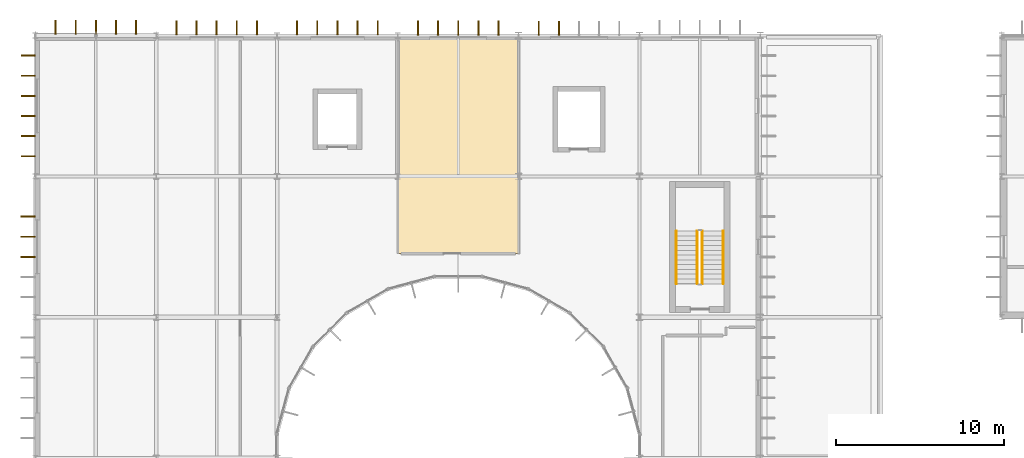
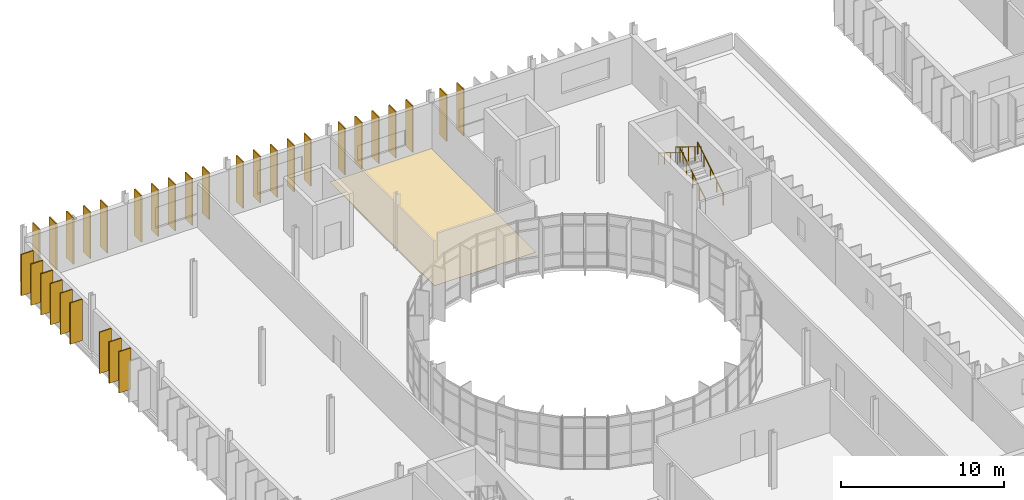
# One storey, part 93 of 99: 31 shading devices, 4 railings, 1 covering.
"""IFC4 building model written with IfcOpenShell, lengths in metres."""

from ifc_helpers import new_model, si_unit, direction, frame, origin, origin_2d, place, context, subcontext, project, spatial, polyline, rectangle, circle, outline, extrude, material, layer, layer_set, type_object, element, save


model = new_model("IFC4")

# Units and contexts
model_context = context("Model", 3, precision=1e-05, world=origin(), true_north=direction((0.0, 1.0)))
body_context = subcontext(model_context, "Body", "Model", "MODEL_VIEW")
ifc_project = project(units=[si_unit("LENGTHUNIT", "METRE"), si_unit("AREAUNIT", "SQUARE_METRE"), si_unit("VOLUMEUNIT", "CUBIC_METRE"), si_unit("PLANEANGLEUNIT", "RADIAN"), si_unit("MASSUNIT", "GRAM", prefix="KILO")], contexts=[model_context])

# Site, building, storey
site_placement = place(None, origin())
site = spatial("IfcSite", under=ifc_project, at=site_placement, CompositionType="ELEMENT")
building_placement = place(site_placement, origin())
building = spatial("IfcBuilding", under=site, at=building_placement, Name="Qelthora Terrace Specialist Clinic", CompositionType="ELEMENT")
storey_placement = place(building_placement, frame((0.0, 0.0, 9.0)))
storey = spatial("IfcBuildingStorey", under=building, at=storey_placement, Name="L02", CompositionType="ELEMENT", Elevation=9.0)

# Covering
ifc_material_1 = material(Name="Antimicrobial clinical linoleum flooring", Category="other")
ifc_layer = layer(ifc_material_1, 0.011962890625)
ifc_layer_set = layer_set([ifc_layer], Name="Antimicrobial clinical linoleum flooring")
covering_type = type_object("IfcCoveringType", Name="COV-FLR-LINO-12", PredefinedType="FLOORING", material=ifc_layer_set)
covering_placement = place(storey_placement, origin())
element("IfcCovering", 1, at=covering_placement, inside=storey, type_object=covering_type, Name="Oncology Nurse and Pharmacy Check L02-53 resilient linoleum flooring", PredefinedType="FLOORING", context=body_context, shape_type="SweptSolid", body=[
    extrude(outline(polyline([(21.60009765625, 96.199951171875), (21.60009765625, 109.050048828125), (28.800048828125, 109.050048828125), (28.800048828125, 96.199951171875), (21.60009765625, 96.199951171875)])), origin(), (0.0, 0.0, 1.0), 0.011962890625),
])

# Railings
ifc_material_2 = material(Name="Steel S355", Category="steel")
railing_type_1 = type_object("IfcRailingType", Name="RAL-GD-1100-S355", PredefinedType="GUARDRAIL", material=ifc_material_2)
railing_1_placement = place(storey_placement, frame((39.75, 94.39990234375, 0.175048828125)))
element("IfcRailing", 2, at=railing_1_placement, inside=storey, type_object=railing_type_1, Name="L02 ST-02 stair guard 1", PredefinedType="GUARDRAIL", context=body_context, shape_type="SweptSolid", body=[
    extrude(circle(Radius=0.02392578125, at=origin_2d()), frame((0.0, 0.0, 1.076171875), z_axis=(0.0, 0.852166034122, 0.523271488128), x_axis=(-1.0, 0.0, 0.0)), (0.0, 0.0, 1.0), 3.678955078125),
    extrude(circle(Radius=0.02099609375, at=origin_2d()), origin(), (0.0, 0.0, 1.0), 1.052001953125),
    extrude(circle(Radius=0.02099609375, at=origin_2d()), frame((0.0, 0.78369140625, 0.481201171875)), (0.0, 0.0, 1.0), 1.052001953125),
    extrude(circle(Radius=0.02099609375, at=origin_2d()), frame((0.0, 1.5673828125, 0.96240234375)), (0.0, 0.0, 1.0), 1.052001953125),
    extrude(circle(Radius=0.02099609375, at=origin_2d()), frame((0.0, 2.351318359375, 1.44384765625)), (0.0, 0.0, 1.0), 1.052001953125),
    extrude(circle(Radius=0.02099609375, at=origin_2d()), frame((0.0, 3.135009765625, 1.925048828125)), (0.0, 0.0, 1.0), 1.052001953125),
])
railing_2_placement = place(storey_placement, frame((39.449951171875, 97.534912109375, 2.27490234375)))
element("IfcRailing", 3, at=railing_2_placement, inside=storey, type_object=railing_type_1, Name="L02 ST-02 stair guard 3", PredefinedType="GUARDRAIL", context=body_context, shape_type="SweptSolid", body=[
    extrude(circle(Radius=0.02392578125, at=origin_2d()), frame((0.0, 0.0, 1.076171875), z_axis=(0.0, -0.852166034122, 0.523271488128), x_axis=(1.0, 0.0, 0.0)), (0.0, 0.0, 1.0), 3.678955078125),
    extrude(circle(Radius=0.02099609375, at=origin_2d()), origin(), (0.0, 0.0, 1.0), 1.052001953125),
    extrude(circle(Radius=0.02099609375, at=origin_2d()), frame((0.0, -0.78369140625, 0.481201171875)), (0.0, 0.0, 1.0), 1.052001953125),
    extrude(circle(Radius=0.02099609375, at=origin_2d()), frame((0.0, -1.5673828125, 0.96240234375)), (0.0, 0.0, 1.0), 1.052001953125),
    extrude(circle(Radius=0.02099609375, at=origin_2d()), frame((0.0, -2.351318359375, 1.44384765625)), (0.0, 0.0, 1.0), 1.052001953125),
    extrude(circle(Radius=0.02099609375, at=origin_2d()), frame((0.0, -3.135009765625, 1.925048828125)), (0.0, 0.0, 1.0), 1.052001953125),
])
railing_type_2 = type_object("IfcRailingType", Name="RAL-HR-900-S355", PredefinedType="HANDRAIL", material=ifc_material_2)
railing_3_placement = place(storey_placement, frame((41.0, 94.39990234375, 0.367919921875)))
element("IfcRailing", 4, at=railing_3_placement, inside=storey, type_object=railing_type_2, Name="L02 ST-02 stair handrail 1", PredefinedType="HANDRAIL", context=body_context, shape_type="SweptSolid", body=[
    extrude(circle(Radius=0.02392578125, at=origin_2d()), frame((0.0, 0.0, 0.8759765625), z_axis=(0.0, 0.852166034122, 0.523271488128), x_axis=(-1.0, 0.0, 0.0)), (0.0, 0.0, 1.0), 3.678955078125),
    extrude(circle(Radius=0.02099609375, at=origin_2d()), origin(), (0.0, 0.0, 1.0), 0.851806640625),
    extrude(circle(Radius=0.02099609375, at=origin_2d()), frame((0.0, 0.78369140625, 0.481201171875)), (0.0, 0.0, 1.0), 0.851806640625),
    extrude(circle(Radius=0.02099609375, at=origin_2d()), frame((0.0, 1.5673828125, 0.96240234375)), (0.0, 0.0, 1.0), 0.851806640625),
    extrude(circle(Radius=0.02099609375, at=origin_2d()), frame((0.0, 2.351318359375, 1.44384765625)), (0.0, 0.0, 1.0), 0.851806640625),
    extrude(circle(Radius=0.02099609375, at=origin_2d()), frame((0.0, 3.135009765625, 1.925048828125)), (0.0, 0.0, 1.0), 0.851806640625),
])
railing_4_placement = place(storey_placement, frame((38.199951171875, 97.534912109375, 2.468017578125)))
element("IfcRailing", 5, at=railing_4_placement, inside=storey, type_object=railing_type_2, Name="L02 ST-02 stair handrail 2", PredefinedType="HANDRAIL", context=body_context, shape_type="SweptSolid", body=[
    extrude(circle(Radius=0.02392578125, at=origin_2d()), frame((0.0, 0.0, 0.8759765625), z_axis=(0.0, -0.852166034122, 0.523271488128), x_axis=(1.0, 0.0, 0.0)), (0.0, 0.0, 1.0), 3.678955078125),
    extrude(circle(Radius=0.02099609375, at=origin_2d()), origin(), (0.0, 0.0, 1.0), 0.851806640625),
    extrude(circle(Radius=0.02099609375, at=origin_2d()), frame((0.0, -0.78369140625, 0.481201171875)), (0.0, 0.0, 1.0), 0.851806640625),
    extrude(circle(Radius=0.02099609375, at=origin_2d()), frame((0.0, -1.5673828125, 0.96240234375)), (0.0, 0.0, 1.0), 0.851806640625),
    extrude(circle(Radius=0.02099609375, at=origin_2d()), frame((0.0, -2.351318359375, 1.44384765625)), (0.0, 0.0, 1.0), 0.851806640625),
    extrude(circle(Radius=0.02099609375, at=origin_2d()), frame((0.0, -3.135009765625, 1.925048828125)), (0.0, 0.0, 1.0), 0.851806640625),
])

# Shading devices
ifc_material_3 = material(Name="Glulam timber GL28h", Category="wood")
shading_device_type = type_object("IfcShadingDeviceType", Name="SHD-FIN-850", PredefinedType="USERDEFINED", material=ifc_material_3)
for number, where, z_axis, x_axis, name in (
    (6, (-0.445068359375, 96.0, 0.0), (0.0, 0.0, 1.0), (-1.0, 0.0, 0.0), "Exterior solar shading fin FIN-1103"),
    (7, (-0.445068359375, 97.199951171875, 0.0), (0.0, 0.0, 1.0), (-1.0, 0.0, 0.0), "Exterior solar shading fin FIN-1104"),
    (8, (-0.445068359375, 98.39990234375, 0.0), (0.0, 0.0, 1.0), (-1.0, 0.0, 0.0), "Exterior solar shading fin FIN-1105"),
    (9, (-0.43505859375, 102.0, 0.0), (0.0, 0.0, 1.0), (-1.0, 0.0, 0.0), "Exterior solar shading fin FIN-1106"),
    (10, (-0.43505859375, 103.199951171875, 0.0), (0.0, 0.0, 1.0), (-1.0, 0.0, 0.0), "Exterior solar shading fin FIN-1107"),
    (11, (-0.43505859375, 104.39990234375, 0.0), (0.0, 0.0, 1.0), (-1.0, 0.0, 0.0), "Exterior solar shading fin FIN-1108"),
    (12, (-0.43505859375, 105.60009765625, 0.0), (0.0, 0.0, 1.0), (-1.0, 0.0, 0.0), "Exterior solar shading fin FIN-1109"),
    (13, (-0.43505859375, 106.800048828125, 0.0), (0.0, 0.0, 1.0), (-1.0, 0.0, 0.0), "Exterior solar shading fin FIN-1110"),
    (14, (-0.43505859375, 108.0, 0.0), (0.0, 0.0, 1.0), (-1.0, 0.0, 0.0), "Exterior solar shading fin FIN-1111"),
):
    element("IfcShadingDevice", number, at=place(storey_placement, frame(where, z_axis=z_axis, x_axis=x_axis)), inside=storey, type_object=shading_device_type, Name=name, ObjectType="FIN", PredefinedType="USERDEFINED", context=body_context, shape_type="SweptSolid", body=[
        extrude(rectangle(XDim=0.85009765625, YDim=0.080078125, at=origin_2d()), origin(), (0.0, 0.0, 1.0), 3.091064453125),
    ])
for number, where, z_axis, x_axis, name in (
    (15, (1.199951171875, 109.695068359375, 0.0), (0.0, 0.0, 1.0), (0.0, 1.0, 0.0), "Exterior solar shading fin FIN-1112"),
    (16, (2.39990234375, 109.695068359375, 0.0), (0.0, 0.0, 1.0), (0.0, 1.0, 0.0), "Exterior solar shading fin FIN-1113"),
    (17, (3.60009765625, 109.695068359375, 0.0), (0.0, 0.0, 1.0), (0.0, 1.0, 0.0), "Exterior solar shading fin FIN-1114"),
    (18, (4.800048828125, 109.695068359375, 0.0), (0.0, 0.0, 1.0), (0.0, 1.0, 0.0), "Exterior solar shading fin FIN-1115"),
    (19, (6.0, 109.695068359375, 0.0), (0.0, 0.0, 1.0), (0.0, 1.0, 0.0), "Exterior solar shading fin FIN-1116"),
    (20, (8.39990234375, 109.6650390625, 0.0), (0.0, 0.0, 1.0), (0.0, 1.0, 0.0), "Exterior solar shading fin FIN-1117"),
    (21, (9.60009765625, 109.6650390625, 0.0), (0.0, 0.0, 1.0), (0.0, 1.0, 0.0), "Exterior solar shading fin FIN-1118"),
    (22, (10.800048828125, 109.6650390625, 0.0), (0.0, 0.0, 1.0), (0.0, 1.0, 0.0), "Exterior solar shading fin FIN-1119"),
    (23, (12.0, 109.6650390625, 0.0), (0.0, 0.0, 1.0), (0.0, 1.0, 0.0), "Exterior solar shading fin FIN-1120"),
    (24, (13.199951171875, 109.6650390625, 0.0), (0.0, 0.0, 1.0), (0.0, 1.0, 0.0), "Exterior solar shading fin FIN-1121"),
    (25, (15.60009765625, 109.655029296875, 0.0), (0.0, 0.0, 1.0), (0.0, 1.0, 0.0), "Exterior solar shading fin FIN-1122"),
    (26, (16.800048828125, 109.655029296875, 0.0), (0.0, 0.0, 1.0), (0.0, 1.0, 0.0), "Exterior solar shading fin FIN-1123"),
    (27, (18.0, 109.655029296875, 0.0), (0.0, 0.0, 1.0), (0.0, 1.0, 0.0), "Exterior solar shading fin FIN-1124"),
    (28, (19.199951171875, 109.655029296875, 0.0), (0.0, 0.0, 1.0), (0.0, 1.0, 0.0), "Exterior solar shading fin FIN-1125"),
    (29, (20.39990234375, 109.655029296875, 0.0), (0.0, 0.0, 1.0), (0.0, 1.0, 0.0), "Exterior solar shading fin FIN-1126"),
    (30, (22.800048828125, 109.64501953125, 0.0), (0.0, 0.0, 1.0), (0.0, 1.0, 0.0), "Exterior solar shading fin FIN-1127"),
    (31, (24.0, 109.64501953125, 0.0), (0.0, 0.0, 1.0), (0.0, 1.0, 0.0), "Exterior solar shading fin FIN-1128"),
    (32, (25.199951171875, 109.64501953125, 0.0), (0.0, 0.0, 1.0), (0.0, 1.0, 0.0), "Exterior solar shading fin FIN-1129"),
    (33, (26.39990234375, 109.64501953125, 0.0), (0.0, 0.0, 1.0), (0.0, 1.0, 0.0), "Exterior solar shading fin FIN-1130"),
    (34, (27.60009765625, 109.64501953125, 0.0), (0.0, 0.0, 1.0), (0.0, 1.0, 0.0), "Exterior solar shading fin FIN-1131"),
    (35, (30.0, 109.635009765625, 0.0), (0.0, 0.0, 1.0), (0.0, 1.0, 0.0), "Exterior solar shading fin FIN-1132"),
    (36, (31.199951171875, 109.635009765625, 0.0), (0.0, 0.0, 1.0), (0.0, 1.0, 0.0), "Exterior solar shading fin FIN-1133"),
):
    element("IfcShadingDevice", number, at=place(storey_placement, frame(where, z_axis=z_axis, x_axis=x_axis)), inside=storey, type_object=shading_device_type, Name=name, ObjectType="FIN", PredefinedType="USERDEFINED", context=body_context, shape_type="SweptSolid", body=[
        extrude(rectangle(XDim=0.85009765625, YDim=0.080078125, at=origin_2d()), origin(), (0.0, 0.0, 1.0), 3.48193359375),
    ])

save(model, "model.ifc")
